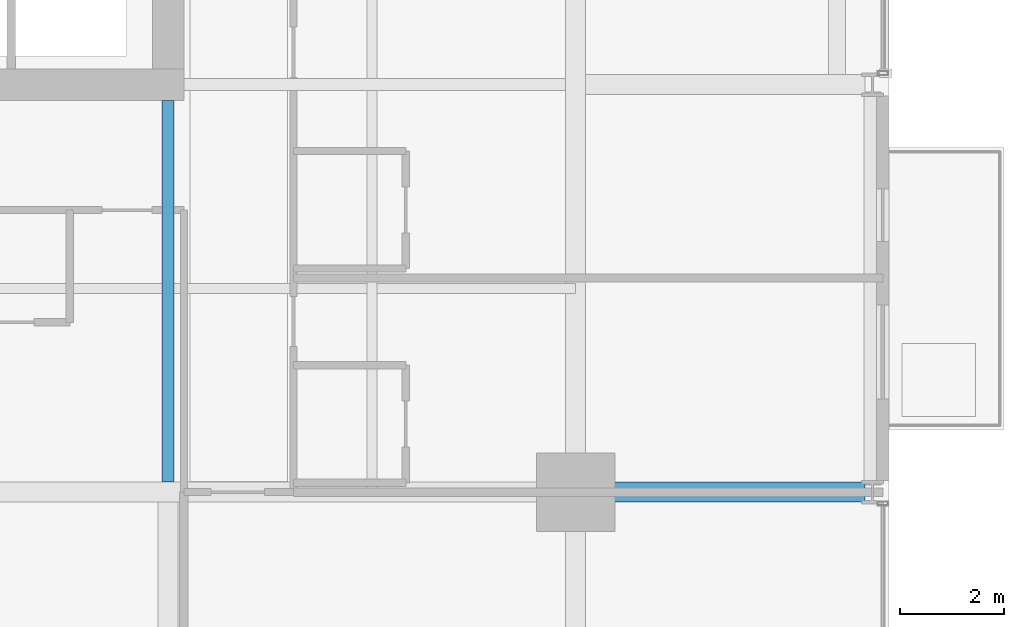
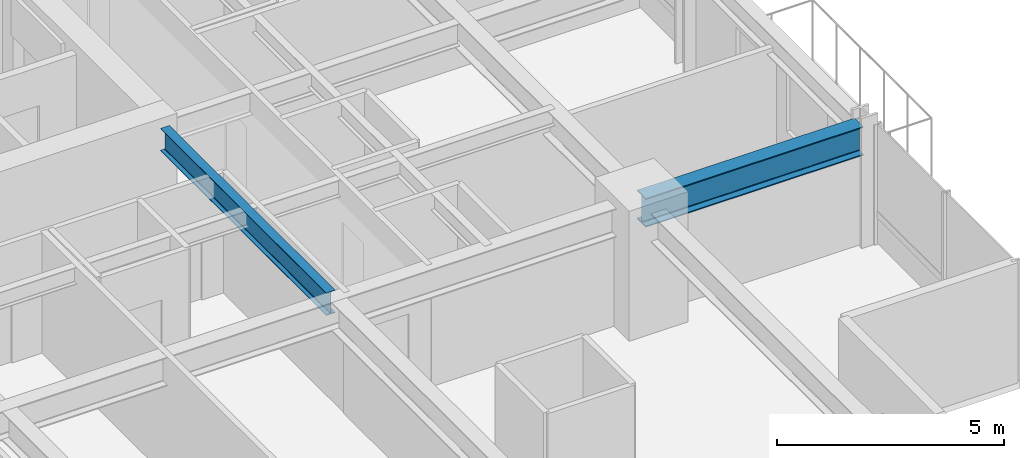
# One storey, part 12 of 34: 2 beams.
"""IFC4 building model written with IfcOpenShell, lengths in metres."""

import ifcopenshell
import ifcopenshell.guid

model = None  # the IFC model being written
_history = None  # IfcOwnerHistory: only IFC2X3 demands one
_inside = {}  # id of a spatial element -> (the spatial element, [elements in it])
_under = {}  # id of a project, library or spatial element -> (it, [spatial elements below it])
_declared = {}  # id of a project -> (the project, [libraries it declares])
_typed = {}  # id of a type object -> (the type object, [elements of that type])
_made_of = {}  # id of a material, layer set ... -> (it, [elements and type objects made of it])


def new_model(schema):
    """Start an empty IFC model of exactly this schema.

    Asked for "IFC4X3", IfcOpenShell would pick the latest addendum, in which some entities
    have other attributes; the version numbers below select the first issue.
    IFC2X3 requires an IfcOwnerHistory on every rooted entity: one is made here for all.
    """
    global model, _history
    if schema == "IFC4X3":
        model = ifcopenshell.file(schema_version=(4, 3, 0, 0))
    else:
        model = ifcopenshell.file(schema=schema)
    _inside.clear()
    _under.clear()
    _declared.clear()
    _typed.clear()
    _made_of.clear()
    _history = None
    if model.schema == "IFC2X3":
        org = make("IfcOrganization", Name="unknown")
        user = make(
            "IfcPersonAndOrganization",
            ThePerson=make("IfcPerson", FamilyName="unknown"),
            TheOrganization=org,
        )
        app = make(
            "IfcApplication",
            ApplicationDeveloper=org,
            Version="unknown",
            ApplicationFullName="unknown",
            ApplicationIdentifier="unknown",
        )
        _history = make(
            "IfcOwnerHistory",
            OwningUser=user,
            OwningApplication=app,
            ChangeAction="ADDED",
            CreationDate=0,
        )
    return model


def make(cls, **values):
    """One entity of the class cls with the attributes given. An attribute that is None is left unset."""
    return model.create_entity(
        cls, **{name: value for name, value in values.items() if value is not None}
    )


def rooted(cls, **values):
    """An entity with a GlobalId (a new one), such as an element, a storey or a relation."""
    return make(cls, GlobalId=ifcopenshell.guid.new(), OwnerHistory=_history, **values)


def si_unit(unit_type, name, prefix=None):
    """IfcSIUnit, for example si_unit("LENGTHUNIT", "METRE", prefix="MILLI")."""
    return make("IfcSIUnit", UnitType=unit_type, Prefix=prefix, Name=name)


def assignment(units):
    """IfcUnitAssignment: the units of a project."""
    return None if units is None else make("IfcUnitAssignment", Units=units)


def point(xyz):
    """IfcCartesianPoint."""
    return None if xyz is None else make("IfcCartesianPoint", Coordinates=xyz)


def direction(xyz):
    """IfcDirection."""
    return None if xyz is None else make("IfcDirection", DirectionRatios=xyz)


def frame(location, z_axis=None, x_axis=None):
    """IfcAxis2Placement3D, a coordinate frame: its origin and axes. An axis left out is left unset."""
    return make(
        "IfcAxis2Placement3D",
        Location=point(location),
        Axis=direction(z_axis),
        RefDirection=direction(x_axis),
    )


def frame_2d(location, x_axis=None):
    """IfcAxis2Placement2D, a coordinate frame in the plane: its origin and x axis."""
    return make(
        "IfcAxis2Placement2D", Location=point(location), RefDirection=direction(x_axis)
    )


def origin():
    """The frame at (0, 0, 0) with its axes left unset."""
    return frame((0.0, 0.0, 0.0))


def origin_2d():
    """The frame at (0, 0) in the plane with its x axis left unset."""
    return frame_2d((0.0, 0.0))


def place(relative_to, where):
    """IfcLocalPlacement: puts the frame where relative to a parent placement (None: the world)."""
    return make(
        "IfcLocalPlacement", PlacementRelTo=relative_to, RelativePlacement=where
    )


def context(
    kind, dimensions, precision=None, world=None, true_north=None, identifier=None
):
    """IfcGeometricRepresentationContext, for example the 3D "Model" context."""
    return make(
        "IfcGeometricRepresentationContext",
        ContextIdentifier=identifier,
        ContextType=kind,
        CoordinateSpaceDimension=dimensions,
        Precision=precision,
        WorldCoordinateSystem=world,
        TrueNorth=true_north,
    )


def subcontext(parent, identifier, kind, view, scale=None):
    """IfcGeometricRepresentationSubContext, for example "Body" below "Model"."""
    return make(
        "IfcGeometricRepresentationSubContext",
        ContextIdentifier=identifier,
        ContextType=kind,
        ParentContext=parent,
        TargetScale=scale,
        TargetView=view,
    )


def project(units=None, contexts=None):
    """IfcProject with its units and contexts."""
    return rooted(
        "IfcProject",
        Name="project",
        RepresentationContexts=contexts,
        UnitsInContext=assignment(units),
    )


def spatial(cls, under=None, at=None, **own):
    """A site, building, storey or space (cls), placed at a placement, below another one or the project."""
    s = rooted(cls, ObjectPlacement=at, **own)
    if under is not None:
        _under.setdefault(under.id(), (under, []))[1].append(s)
    return s


def profile(cls, at=None, kind="AREA", **sizes):
    """A parametric profile (cls). Its sizes go by their IFC names, for example OverallWidth=200.0."""
    return make(cls, ProfileType=kind, Position=at, **sizes)


def i_section(**sizes):
    """IfcIShapeProfileDef."""
    return profile("IfcIShapeProfileDef", **sizes)


def extrude(swept, where, along, depth):
    """IfcExtrudedAreaSolid: the profile swept, set in the frame where, extruded along a direction by depth."""
    return make(
        "IfcExtrudedAreaSolid",
        SweptArea=swept,
        Position=where,
        ExtrudedDirection=direction(along),
        Depth=depth,
    )


def shape(context_of_items, identifier, shape_type, items):
    """IfcShapeRepresentation: the items that make up one representation, for example the "Body"."""
    return make(
        "IfcShapeRepresentation",
        ContextOfItems=context_of_items,
        RepresentationIdentifier=identifier,
        RepresentationType=shape_type,
        Items=items,
    )


def material(Name=None, Category=None):
    """IfcMaterial."""
    return make("IfcMaterial", Name=Name, Category=Category)


def material_profile(
    of_material, cross_section, Name=None, Category=None, Priority=None
):
    """IfcMaterialProfile: a cross section and its material."""
    return make(
        "IfcMaterialProfile",
        Name=Name,
        Material=of_material,
        Profile=cross_section,
        Priority=Priority,
        Category=Category,
    )


def profile_set(profiles, Name=None, composite=None):
    """IfcMaterialProfileSet."""
    return make(
        "IfcMaterialProfileSet",
        Name=Name,
        MaterialProfiles=profiles,
        CompositeProfile=composite,
    )


def made_of(thing, what):
    """Note that an element or type object is made of a material, layer set ...; save() writes the relation."""
    if what is not None:
        _made_of.setdefault(what.id(), (what, []))[1].append(thing)
    return thing


def type_object(cls, material=None, **own):
    """A type object (cls), such as IfcWallType, which elements share."""
    return made_of(rooted(cls, **own), material)


def element(
    cls,
    number,
    at=None,
    inside=None,
    cuts=None,
    type_object=None,
    material=None,
    context=None,
    identifier="Body",
    shape_type=None,
    held_by="IfcProductDefinitionShape",
    body=None,
    shapes=None,
    **own,
):
    """One element of the class cls, such as IfcWall. Its Tag is "e" and its number.

    at: its placement. inside: the storey or other place that contains it. cuts: it is an
    opening in that element (IfcRelVoidsElement). A single representation is given by context,
    identifier, shape_type and body (its items); several are given by shapes. held_by: the class
    of the entity that holds the representations. save() writes the other relations.
    """
    e = rooted(cls, Tag="e%d" % number, ObjectPlacement=at, **own)
    if body is not None:
        shapes = [shape(context, identifier, shape_type, body)]
    if shapes is not None:
        e.Representation = make(held_by, Representations=shapes)
    if inside is not None:
        _inside.setdefault(inside.id(), (inside, []))[1].append(e)
    if cuts is not None:
        rooted(
            "IfcRelVoidsElement", RelatingBuildingElement=cuts, RelatedOpeningElement=e
        )
    if type_object is not None:
        _typed.setdefault(type_object.id(), (type_object, []))[1].append(e)
    return made_of(e, material)


def aggregate(whole, parts):
    """IfcRelAggregates: a whole, such as a stair, and the parts it consists of."""
    return rooted("IfcRelAggregates", RelatingObject=whole, RelatedObjects=parts)


def save(model, path):
    """Write the relations noted so far, then the file.

    IfcRelAggregates (storeys below a building ...), IfcRelContainedInSpatialStructure (elements
    in a storey), IfcRelDefinesByType, IfcRelAssociatesMaterial and IfcRelDeclares: one each for
    every whole, place, type object, material and project.
    """
    for whole, parts in _under.values():
        aggregate(whole, parts)
    for where, things in _inside.values():
        rooted(
            "IfcRelContainedInSpatialStructure",
            RelatedElements=things,
            RelatingStructure=where,
        )
    for kind, things in _typed.values():
        rooted("IfcRelDefinesByType", RelatedObjects=things, RelatingType=kind)
    for what, things in _made_of.values():
        rooted("IfcRelAssociatesMaterial", RelatedObjects=things, RelatingMaterial=what)
    for by, libraries in _declared.values():
        rooted("IfcRelDeclares", RelatingContext=by, RelatedDefinitions=libraries)
    model.write(path)


model = new_model("IFC4")

# Units and contexts
model_context = context("Model", 3, precision=1e-05, world=origin(), true_north=direction((0.0, 1.0)))
body_context = subcontext(model_context, "Body", "Model", "MODEL_VIEW")
ifc_project = project(units=[si_unit("LENGTHUNIT", "METRE"), si_unit("AREAUNIT", "SQUARE_METRE"), si_unit("VOLUMEUNIT", "CUBIC_METRE"), si_unit("PLANEANGLEUNIT", "RADIAN"), si_unit("MASSUNIT", "GRAM", prefix="KILO")], contexts=[model_context])

# Site, building, storey
site_placement = place(None, origin())
site = spatial("IfcSite", under=ifc_project, at=site_placement, CompositionType="ELEMENT")
building_placement = place(site_placement, origin())
building = spatial("IfcBuilding", under=site, at=building_placement, Name="Drelvath Grand Hotel", CompositionType="ELEMENT")
storey_placement = place(building_placement, frame((0.0, 0.0, 91.800048828125)))
storey = spatial("IfcBuildingStorey", under=building, at=storey_placement, Name="L22", CompositionType="ELEMENT", Elevation=91.800048828125)

# Beams
ifc_material = material(Name="Steel ASTM A992 Gr 50", Category="steel")
ifc_material_profile_1 = material_profile(ifc_material, i_section(OverallWidth=0.228271484375, OverallDepth=0.607666015625, WebThickness=0.01123046875, FlangeThickness=0.017333984375, FilletRadius=0.02001953125, at=origin_2d()), Name="W24X76")
ifc_profile_set_1 = profile_set([ifc_material_profile_1], Name="Steel ASTM A992 Gr 50")
beam_type_1 = type_object("IfcBeamType", Name="Primary Floor Girder W24X76", PredefinedType="BEAM", material=ifc_profile_set_1)
beam_1_placement = place(storey_placement, frame((8.39990234375, 10.990234375, 2.93603515625), z_axis=(0.0, 1.0, 0.0), x_axis=(-1.0, 0.0, 0.0)))
element("IfcBeam", 1, at=beam_1_placement, inside=storey, type_object=beam_type_1, Name="L22 South Core Tie 6", PredefinedType="BEAM", context=body_context, shape_type="SweptSolid", body=[
    extrude(i_section(OverallWidth=0.228271484375, OverallDepth=0.607666015625, WebThickness=0.01123046875, FlangeThickness=0.017333984375, FilletRadius=0.02001953125, at=origin_2d()), origin(), (0.0, 0.0, 1.0), 7.309814453125),
])
ifc_material_profile_2 = material_profile(ifc_material, i_section(OverallWidth=0.380615234375, OverallDepth=0.773193359375, WebThickness=0.0166015625, FlangeThickness=0.027099609375, FilletRadius=0.02490234375, at=origin_2d()), Name="W30X173")
ifc_profile_set_2 = profile_set([ifc_material_profile_2], Name="Steel ASTM A992 Gr 50")
beam_type_2 = type_object("IfcBeamType", Name="Primary Floor Girder W30X173", PredefinedType="BEAM", material=ifc_profile_set_2)
beam_2_placement = place(storey_placement, frame((16.199951171875, 10.800048828125, 2.853271484375), z_axis=(1.0, 0.0, 0.0), x_axis=(0.0, 1.0, 0.0)))
element("IfcBeam", 2, at=beam_2_placement, inside=storey, type_object=beam_type_2, Name="L22 East Grid Girder C", PredefinedType="BEAM", context=body_context, shape_type="SweptSolid", body=[
    extrude(i_section(OverallWidth=0.380615234375, OverallDepth=0.773193359375, WebThickness=0.0166015625, FlangeThickness=0.027099609375, FilletRadius=0.02490234375, at=origin_2d()), origin(), (0.0, 0.0, 1.0), 5.5400390625),
])

save(model, "model.ifc")
